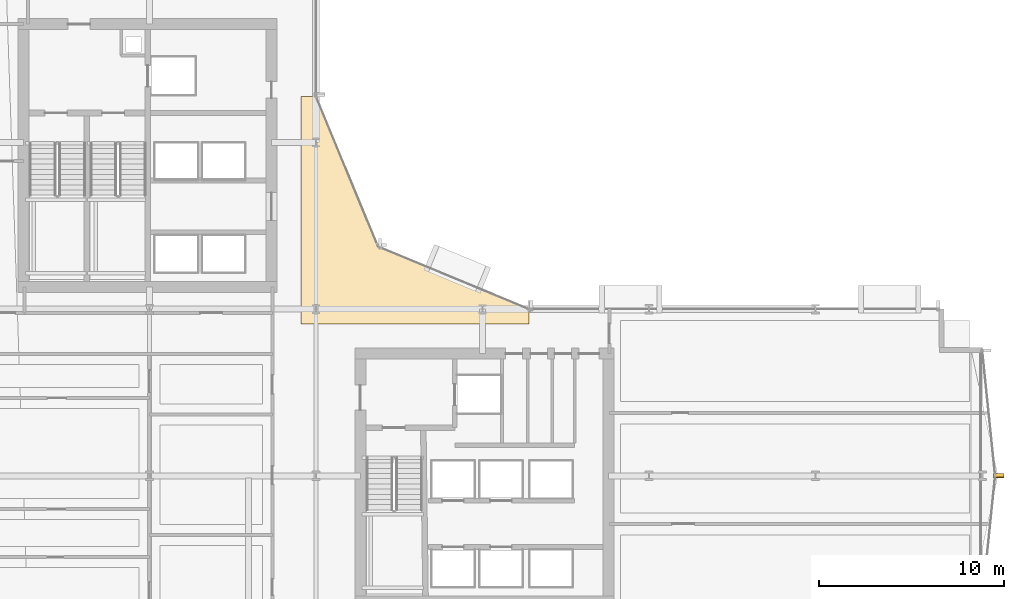
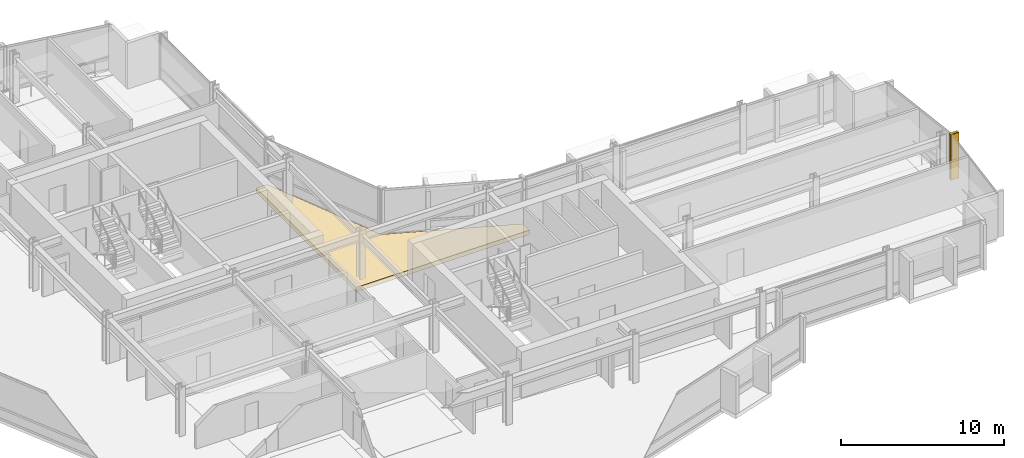
# One storey, part 34 of 34: 3 coverings.
"""IFC4 building model written with IfcOpenShell, lengths in metres."""

from ifc_helpers import new_model, si_unit, direction, frame, origin, origin_2d, place, context, subcontext, project, spatial, polyline, rectangle, outline, extrude, material, layer, layer_set, type_object, element, save


model = new_model("IFC4")

# Units and contexts
model_context = context("Model", 3, precision=1e-05, world=origin(), true_north=direction((0.0, 1.0)))
body_context = subcontext(model_context, "Body", "Model", "MODEL_VIEW")
ifc_project = project(units=[si_unit("LENGTHUNIT", "METRE"), si_unit("AREAUNIT", "SQUARE_METRE"), si_unit("VOLUMEUNIT", "CUBIC_METRE"), si_unit("PLANEANGLEUNIT", "RADIAN"), si_unit("MASSUNIT", "GRAM", prefix="KILO")], contexts=[model_context])

# Site, building, storey
site_placement = place(None, origin())
site = spatial("IfcSite", under=ifc_project, at=site_placement, CompositionType="ELEMENT")
building_placement = place(site_placement, origin())
building = spatial("IfcBuilding", under=site, at=building_placement, Name="Solvaryn Broadcast Tower", CompositionType="ELEMENT")
storey_placement = place(building_placement, frame((0.0, 0.0, 43.39990234375)))
storey = spatial("IfcBuildingStorey", under=building, at=storey_placement, Name="L09", CompositionType="ELEMENT", Elevation=43.39990234375)

# Coverings
ifc_material_1 = material(Name="Extruded Architectural Terracotta Fin", Category="masonry")
ifc_layer_1 = layer(ifc_material_1, 0.179931640625)
ifc_layer_set_1 = layer_set([ifc_layer_1], Name="CV-TC-FIN")
covering_type_1 = type_object("IfcCoveringType", Name="CV-TC-FIN", PredefinedType="USERDEFINED", material=ifc_layer_set_1)
for number, where, z_axis, x_axis, name in (
    (1, (63.884521484375, 18.02978515625, 0.000244140625), (0.0, 0.0, 1.0), (1.0, 0.0, 0.0), "L09 Terracotta Vertical Fin FIN-L09-ET1-M01"),
    (2, (63.884521484375, 17.97021484375, 0.000244140625), (0.0, 0.0, 1.0), (1.0, 0.0, 0.0), "L09 Terracotta Vertical Fin FIN-L09-ET2-M00"),
):
    element("IfcCovering", number, at=place(storey_placement, frame(where, z_axis=z_axis, x_axis=x_axis)), inside=storey, type_object=covering_type_1, Name=name, ObjectType="FIN", PredefinedType="USERDEFINED", context=body_context, shape_type="SweptSolid", body=[
        extrude(rectangle(XDim=0.580078125, YDim=0.179931640625, at=origin_2d()), origin(), (0.0, 0.0, 1.0), 3.419921875),
    ])
ifc_material_2 = material(Name="Sculpted Architectural Terracotta Wave Fascia", Category="masonry")
ifc_layer_2 = layer(ifc_material_2, 0.340087890625)
ifc_layer_set_2 = layer_set([ifc_layer_2], Name="CV-WAVE-TRAY")
covering_type_2 = type_object("IfcCoveringType", Name="CV-WAVE-TRAY", PredefinedType="CLADDING", material=ifc_layer_set_2)
covering_placement = place(storey_placement, frame((0.0, 0.0, -0.2998046875)))
element("IfcCovering", 3, at=covering_placement, inside=storey, type_object=covering_type_2, Name="L09 Concave Canyon Floor Apron", PredefinedType="CLADDING", context=body_context, shape_type="SweptSolid", body=[
    extrude(outline(polyline([(26.199951171875, 26.199951171875), (38.5, 26.199951171875), (38.5, 27.0), (30.367919921875, 30.367919921875), (27.0, 38.5), (26.199951171875, 38.5), (26.199951171875, 26.199951171875)])), origin(), (0.0, 0.0, 1.0), 0.329833984375),
])

save(model, "model.ifc")
